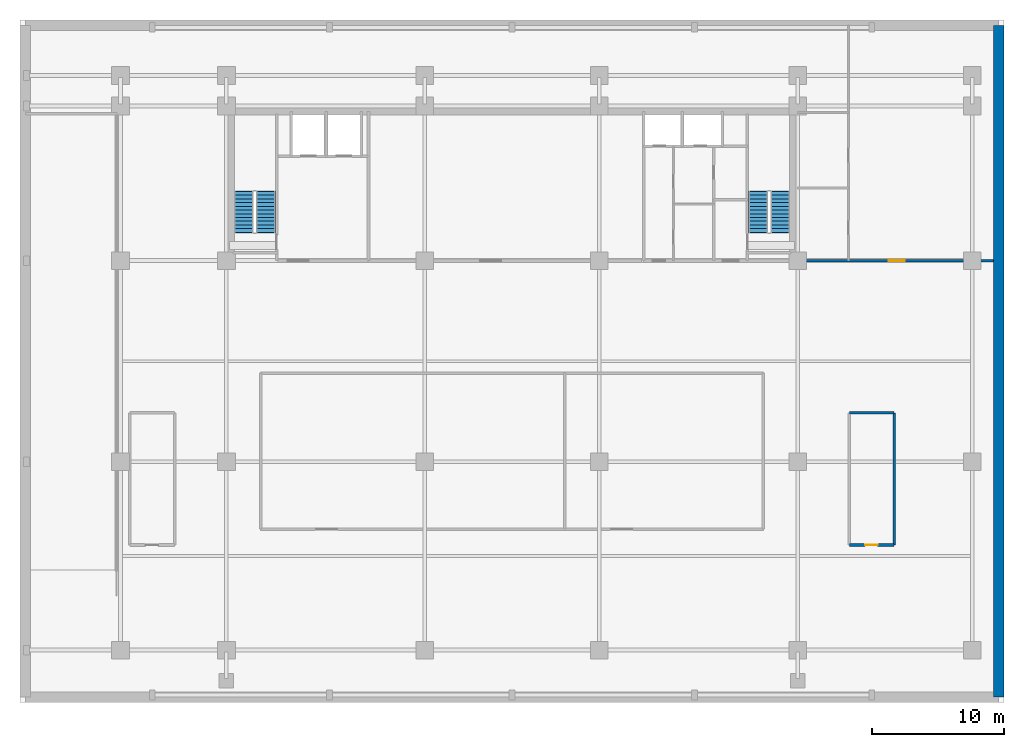
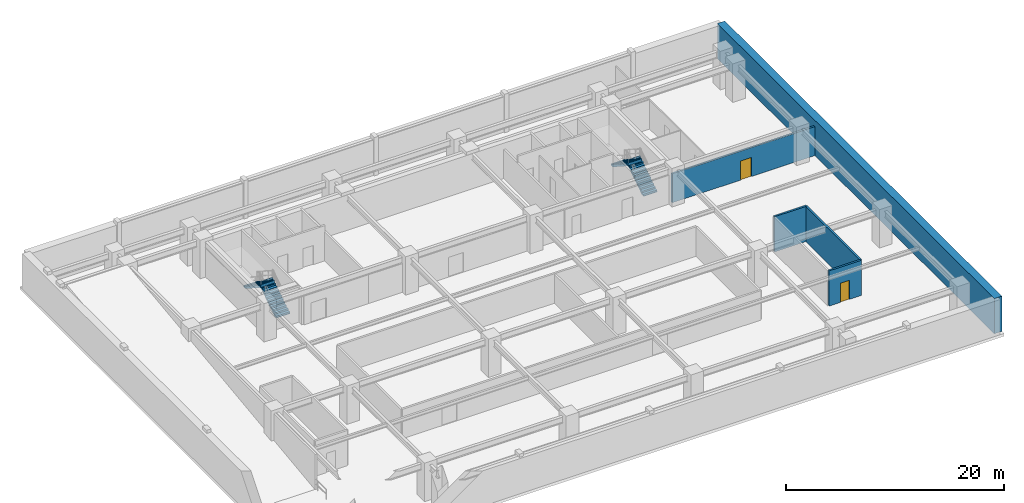
# One storey, part 6 of 8: 5 walls, 4 stair flights, 2 doors, 2 openings, 2 elements without a shape of their own.
"""IFC4 building model written with IfcOpenShell, lengths in metres."""

from ifc_helpers import new_model, si_unit, direction, frame, frame_2d, origin, place, context, subcontext, project, spatial, polyline, rectangle, outline, extrude, source, transform, mapped, material, layer, layer_set, type_object, element, fill, aggregate, save


model = new_model("IFC4")

# Units and contexts
model_context = context("Model", 3, precision=1e-05, world=origin(), true_north=direction((0.0, 1.0)))
body_context = subcontext(model_context, "Body", "Model", "MODEL_VIEW")
ifc_project = project(units=[si_unit("LENGTHUNIT", "METRE"), si_unit("AREAUNIT", "SQUARE_METRE"), si_unit("VOLUMEUNIT", "CUBIC_METRE"), si_unit("PLANEANGLEUNIT", "RADIAN"), si_unit("MASSUNIT", "GRAM", prefix="KILO")], contexts=[model_context])

# Site, building, storey
site_placement = place(None, origin())
site = spatial("IfcSite", under=ifc_project, at=site_placement, CompositionType="ELEMENT")
building_placement = place(site_placement, origin())
building = spatial("IfcBuilding", under=site, at=building_placement, Name="Trelvane Seafront Commons", CompositionType="ELEMENT")
storey_placement = place(building_placement, frame((0.0, 0.0, -4.300048828125)))
storey = spatial("IfcBuildingStorey", under=building, at=storey_placement, Name="B01", CompositionType="ELEMENT", Elevation=-4.300048828125)

# Wall, opening, door
ifc_material_1 = material(Name="Concrete C40/50", Category="concrete")
ifc_layer_1 = layer(ifc_material_1, 0.199951171875, Name="ARCH-WALL-FIRE200")
ifc_layer_set_1 = layer_set([ifc_layer_1], Name="Concrete C40/50")
wall_type_1 = type_object("IfcWallType", Name="ARCH-WALL-FIRE200", PredefinedType="PARTITIONING", material=ifc_layer_set_1)
wall_1_placement = place(storey_placement, frame((58.5, 33.39990234375, 0.0), z_axis=(0.0, 0.0, 1.0), x_axis=(1.0, 0.0, 0.0)))
wall_1 = element("IfcWall", 1, at=wall_1_placement, inside=storey, type_object=wall_type_1, Name="W-B01-BM-NE-S-040", PredefinedType="PARTITIONING", context=body_context, shape_type="SweptSolid", body=[
    extrude(rectangle(XDim=15.10009765625, YDim=0.199951171875, at=frame_2d((7.550048828125, 0.0))), origin(), (0.0, 0.0, 1.0), 3.239990234375),
])
opening_1_placement = place(wall_1_placement, frame((7.199951171875, 0.0, 0.0)))
opening_1 = element("IfcOpeningElement", 2, at=opening_1_placement, cuts=wall_1, Name="Opening FD-B01-20", PredefinedType="OPENING", context=body_context, shape_type="SweptSolid", body=[
    extrude(rectangle(XDim=1.199951171875, YDim=2.14990234375, at=frame_2d((0.60009765625, 1.074951171875))), frame((0.0, 0.10986328125, 0.0), z_axis=(0.0, -1.0, 0.0), x_axis=(1.0, 0.0, 0.0)), (0.0, 0.0, 1.0), 0.219970703125),
])
ifc_material_2 = material(Name="Powder-coated aluminium frame", Category="aluminium")
door_type_1 = type_object("IfcDoorType", Name="ARCH-DR-FD60-1200", OperationType="NOTDEFINED", PredefinedType="DOOR", material=ifc_material_2)
shared_shape_1 = source(origin(), body_context, "Body", "SweptSolid", [
    extrude(rectangle(XDim=1.199951171875, YDim=2.14990234375, at=frame_2d((0.60009765625, 1.074951171875))), frame((0.0, 0.02490234375, 0.0), z_axis=(0.0, -1.0, 0.0), x_axis=(1.0, 0.0, 0.0)), (0.0, 0.0, 1.0), 0.050048828125),
])
door_1_placement = place(opening_1_placement, origin())
door_1 = element("IfcDoor", 3, at=door_1_placement, inside=storey, type_object=door_type_1, Name="B01 Door 20", OperationType="SINGLE_SWING_RIGHT", OverallHeight=2.14990234375, OverallWidth=1.199951171875, PredefinedType="DOOR", context=body_context, shape_type="MappedRepresentation", body=[
    mapped(shared_shape_1, transform((0.0, 0.0, 0.0), x_axis=(1.0, 0.0, 0.0), y_axis=(0.0, 1.0, 0.0), z_axis=(0.0, 0.0, 1.0), scale=1.0)),
])
fill(opening_1, door_1)

# Walls
ifc_material_3 = material(Name="Concrete C50/60", Category="concrete")
ifc_layer_2 = layer(ifc_material_3, 0.800048828125, Name="STR-WALL-RET800")
ifc_layer_set_2 = layer_set([ifc_layer_2], Name="Concrete C50/60")
wall_type_2 = type_object("IfcWallType", Name="STR-WALL-RET800", PredefinedType="USERDEFINED", material=ifc_layer_set_2)
wall_2_placement = place(storey_placement, frame((74.0, 0.39990234375, 0.0), z_axis=(0.0, 0.0, 1.0), x_axis=(0.0, 1.0, 0.0)))
element("IfcWall", 4, at=wall_2_placement, inside=storey, type_object=wall_type_2, Name="RET-B01-10", ObjectType="RETAINING WALL", PredefinedType="USERDEFINED", context=body_context, shape_type="SweptSolid", body=[
    extrude(rectangle(XDim=50.800048828125, YDim=0.800048828125, at=frame_2d((25.39990234375, 0.0))), origin(), (0.0, 0.0, 1.0), 3.93994140625),
])
ifc_layer_3 = layer(ifc_material_3, 0.199951171875, Name="STR-WALL-STAIR200")
ifc_layer_set_3 = layer_set([ifc_layer_3], Name="Concrete C50/60")
wall_type_3 = type_object("IfcWallType", Name="STR-WALL-STAIR200", PredefinedType="SHEAR", material=ifc_layer_set_3)
wall_3_placement = place(storey_placement, frame((66.10009765625, 11.89990234375, 0.0), z_axis=(0.0, 0.0, 1.0), x_axis=(0.0, 1.0, 0.0)))
element("IfcWall", 5, at=wall_3_placement, inside=storey, type_object=wall_type_3, Name="W-B01-ST4B-E-013", PredefinedType="SHEAR", context=body_context, shape_type="SweptSolid", body=[
    extrude(rectangle(XDim=10.0, YDim=0.199951171875, at=frame_2d((5.0, 0.0))), origin(), (0.0, 0.0, 1.0), 3.93994140625),
])

# Wall, opening, door
wall_4_placement = place(storey_placement, frame((62.699951171875, 11.89990234375, 0.0), z_axis=(0.0, 0.0, 1.0), x_axis=(1.0, 0.0, 0.0)))
wall_4 = element("IfcWall", 6, at=wall_4_placement, inside=storey, type_object=wall_type_3, Name="W-B01-ST4B-S-014", PredefinedType="SHEAR", context=body_context, shape_type="SweptSolid", body=[
    extrude(rectangle(XDim=3.400146484375, YDim=0.199951171875, at=frame_2d((1.7001953125, 0.0))), origin(), (0.0, 0.0, 1.0), 3.93994140625),
])
opening_2_placement = place(wall_4_placement, frame((1.199951171875, 0.0, 0.0)))
opening_2 = element("IfcOpeningElement", 7, at=opening_2_placement, cuts=wall_4, Name="Opening FD-B01-04", PredefinedType="OPENING", context=body_context, shape_type="SweptSolid", body=[
    extrude(rectangle(XDim=0.949951171875, YDim=2.14990234375, at=frame_2d((0.47509765625, 1.074951171875))), frame((0.0, 0.10986328125, 0.0), z_axis=(0.0, -1.0, 0.0), x_axis=(1.0, 0.0, 0.0)), (0.0, 0.0, 1.0), 0.219970703125),
])
door_type_2 = type_object("IfcDoorType", Name="ARCH-DR-FD60-950", OperationType="NOTDEFINED", PredefinedType="DOOR", material=ifc_material_2)
shared_shape_2 = source(origin(), body_context, "Body", "SweptSolid", [
    extrude(rectangle(XDim=0.949951171875, YDim=2.14990234375, at=frame_2d((0.47509765625, 1.074951171875))), frame((0.0, 0.02490234375, 0.0), z_axis=(0.0, -1.0, 0.0), x_axis=(1.0, 0.0, 0.0)), (0.0, 0.0, 1.0), 0.050048828125),
])
door_2_placement = place(opening_2_placement, origin())
door_2 = element("IfcDoor", 8, at=door_2_placement, inside=storey, type_object=door_type_2, Name="B01 Door 04", OperationType="SINGLE_SWING_RIGHT", OverallHeight=2.14990234375, OverallWidth=0.949951171875, PredefinedType="DOOR", context=body_context, shape_type="MappedRepresentation", body=[
    mapped(shared_shape_2, transform((0.0, 0.0, 0.0), x_axis=(1.0, 0.0, 0.0), y_axis=(0.0, 1.0, 0.0), z_axis=(0.0, 0.0, 1.0), scale=1.0)),
])
fill(opening_2, door_2)

# Wall
wall_5_placement = place(storey_placement, frame((62.699951171875, 21.89990234375, 0.0), z_axis=(0.0, 0.0, 1.0), x_axis=(1.0, 0.0, 0.0)))
element("IfcWall", 9, at=wall_5_placement, inside=storey, type_object=wall_type_3, Name="W-B01-ST4B-N-015", PredefinedType="SHEAR", context=body_context, shape_type="SweptSolid", body=[
    extrude(rectangle(XDim=3.400146484375, YDim=0.199951171875, at=frame_2d((1.7001953125, 0.0))), origin(), (0.0, 0.0, 1.0), 3.93994140625),
])

# Stair, stair flights
stair_type_1 = type_object("IfcStairType", Name="ARCH-STR-ST-1-R24-179", PredefinedType="HALF_TURN_STAIR", material=ifc_material_1)
stair_1_placement = place(storey_placement, origin())
stair_1 = element("IfcStair", 10, at=stair_1_placement, inside=storey, type_object=stair_type_1, Name="B01 West Protected Firefighting Exit Stair ST-1", PredefinedType="HALF_TURN_STAIR")
stair_flight_type_1 = type_object("IfcStairFlightType", Name="ARCH-FLG-ST-1-R24-179", PredefinedType="STRAIGHT", material=ifc_material_1)
shared_shape_3 = source(origin(), body_context, "Body", "SweptSolid", [
    extrude(outline(polyline([(-0.050048828125, -0.02001953125), (-0.050048828125, 0.0), (0.0, 0.0), (0.0, 0.17919921875), (0.280029296875, 0.17919921875), (0.280029296875, 0.3583984375), (0.56005859375, 0.3583984375), (0.56005859375, 0.53759765625), (0.840087890625, 0.53759765625), (0.840087890625, 0.716552734375), (1.1201171875, 0.716552734375), (1.1201171875, 0.895751953125), (1.39990234375, 0.895751953125), (1.39990234375, 1.074951171875), (1.679931640625, 1.074951171875), (1.679931640625, 1.254150390625), (1.9599609375, 1.254150390625), (1.9599609375, 1.433349609375), (2.239990234375, 1.433349609375), (2.239990234375, 1.612548828125), (2.52001953125, 1.612548828125), (2.52001953125, 1.791748046875), (2.800048828125, 1.791748046875), (2.800048828125, 1.970947265625), (3.080078125, 1.970947265625), (3.080078125, 2.14990234375), (3.1298828125, 2.14990234375), (3.1298828125, 2.0), (3.080078125, 1.79296875), (0.278076171875, -0.02001953125), (-0.050048828125, -0.02001953125)])), frame((0.0, 0.72509765625, 0.0), z_axis=(0.0, -1.0, 0.0), x_axis=(1.0, 0.0, 0.0)), (0.0, 0.0, 1.0), 1.449951171875),
])
stair_flight_1_placement = place(storey_placement, frame((18.574951171875, 35.550048828125, 0.0), z_axis=(0.0, 0.0, 1.0), x_axis=(0.0, 1.0, 0.0)))
stair_flight_1 = element("IfcStairFlight", 11, at=stair_flight_1_placement, type_object=stair_flight_type_1, Name="ST-1 flight 1", NumberOfRisers=12, NumberOfTreads=11, PredefinedType="STRAIGHT", RiserHeight=0.179166667, TreadLength=0.28, context=body_context, shape_type="MappedRepresentation", body=[
    mapped(shared_shape_3, transform((0.0, 0.0, 0.0), x_axis=(1.0, 0.0, 0.0), y_axis=(0.0, 1.0, 0.0), z_axis=(0.0, 0.0, 1.0), scale=1.0)),
])
stair_flight_2_placement = place(storey_placement, frame((16.925048828125, 38.6298828125, 2.150146484375), z_axis=(0.0, 0.0, 1.0), x_axis=(0.0, -1.0, 0.0)))
stair_flight_2 = element("IfcStairFlight", 12, at=stair_flight_2_placement, type_object=stair_flight_type_1, Name="ST-1 flight 2", NumberOfRisers=12, NumberOfTreads=11, PredefinedType="STRAIGHT", RiserHeight=0.179166667, TreadLength=0.28, context=body_context, shape_type="MappedRepresentation", body=[
    mapped(shared_shape_3, transform((0.0, 0.0, 0.0), x_axis=(1.0, 0.0, 0.0), y_axis=(0.0, 1.0, 0.0), z_axis=(0.0, 0.0, 1.0), scale=1.0)),
])
aggregate(stair_1, [stair_flight_1, stair_flight_2])

stair_type_2 = type_object("IfcStairType", Name="ARCH-STR-ST-2-R24-179", PredefinedType="HALF_TURN_STAIR", material=ifc_material_1)
stair_2_placement = place(storey_placement, origin())
stair_2 = element("IfcStair", 13, at=stair_2_placement, inside=storey, type_object=stair_type_2, Name="B01 East Protected Firefighting Exit Stair ST-2", PredefinedType="HALF_TURN_STAIR")
stair_flight_type_2 = type_object("IfcStairFlightType", Name="ARCH-FLG-ST-2-R24-179", PredefinedType="STRAIGHT", material=ifc_material_1)
stair_flight_3_placement = place(storey_placement, frame((57.47509765625, 35.550048828125, 0.0), z_axis=(0.0, 0.0, 1.0), x_axis=(0.0, 1.0, 0.0)))
stair_flight_3 = element("IfcStairFlight", 14, at=stair_flight_3_placement, type_object=stair_flight_type_2, Name="ST-2 flight 1", NumberOfRisers=12, NumberOfTreads=11, PredefinedType="STRAIGHT", RiserHeight=0.179166667, TreadLength=0.28, context=body_context, shape_type="MappedRepresentation", body=[
    mapped(shared_shape_3, transform((0.0, 0.0, 0.0), x_axis=(1.0, 0.0, 0.0), y_axis=(0.0, 1.0, 0.0), z_axis=(0.0, 0.0, 1.0), scale=1.0)),
])
stair_flight_4_placement = place(storey_placement, frame((55.824951171875, 38.6298828125, 2.150146484375), z_axis=(0.0, 0.0, 1.0), x_axis=(0.0, -1.0, 0.0)))
stair_flight_4 = element("IfcStairFlight", 15, at=stair_flight_4_placement, type_object=stair_flight_type_2, Name="ST-2 flight 2", NumberOfRisers=12, NumberOfTreads=11, PredefinedType="STRAIGHT", RiserHeight=0.179166667, TreadLength=0.28, context=body_context, shape_type="MappedRepresentation", body=[
    mapped(shared_shape_3, transform((0.0, 0.0, 0.0), x_axis=(1.0, 0.0, 0.0), y_axis=(0.0, 1.0, 0.0), z_axis=(0.0, 0.0, 1.0), scale=1.0)),
])
aggregate(stair_2, [stair_flight_3, stair_flight_4])

save(model, "model.ifc")
